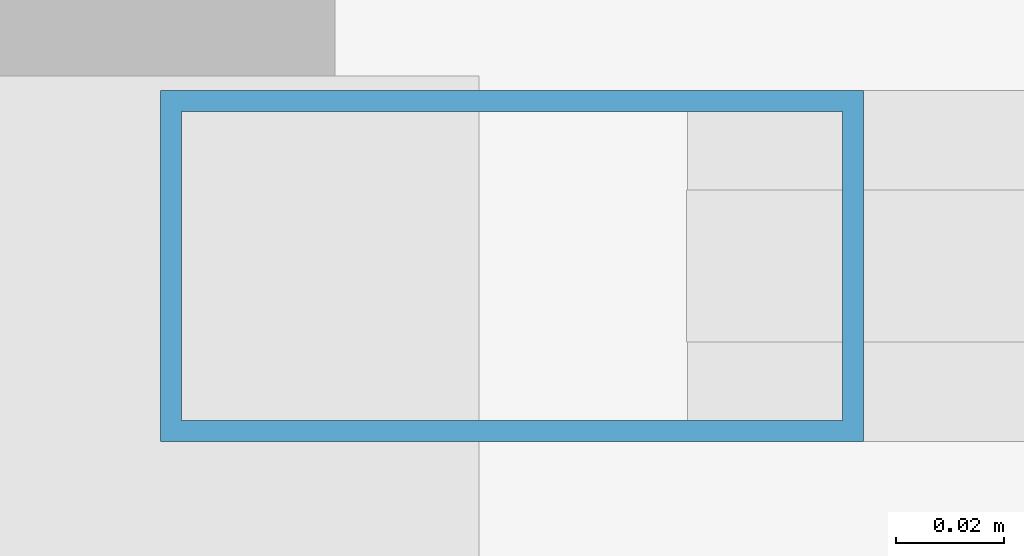
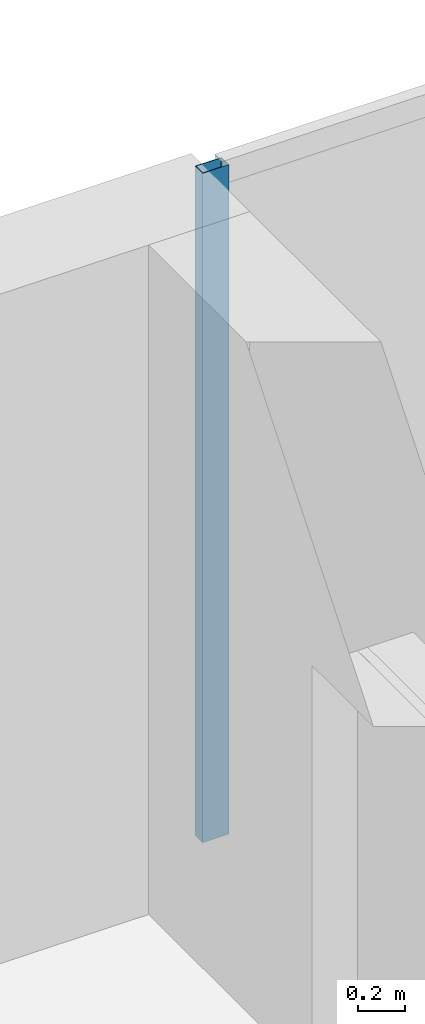
# One storey, part 8 of 15: 1 member, 1 element without a shape of its own.
"""IFC4 building model written with IfcOpenShell, lengths in metres."""

from ifc_helpers import new_model, si_unit, direction, frame, origin, origin_2d, place, context, subcontext, project, spatial, hollow_rectangle, extrude, material, material_profile, profile_set, type_object, element, aggregate, save


model = new_model("IFC4")

# Units and contexts
model_context = context("Model", 3, precision=1e-05, world=origin(), true_north=direction((0.0, 1.0)))
body_context = subcontext(model_context, "Body", "Model", "MODEL_VIEW")
ifc_project = project(units=[si_unit("LENGTHUNIT", "METRE"), si_unit("AREAUNIT", "SQUARE_METRE"), si_unit("VOLUMEUNIT", "CUBIC_METRE"), si_unit("PLANEANGLEUNIT", "RADIAN"), si_unit("MASSUNIT", "GRAM", prefix="KILO")], contexts=[model_context])

# Site, building, storey
site_placement = place(None, origin())
site = spatial("IfcSite", under=ifc_project, at=site_placement, CompositionType="ELEMENT")
building_placement = place(site_placement, origin())
building = spatial("IfcBuilding", under=site, at=building_placement, Name="Cobrela Telecom Tower", CompositionType="ELEMENT")
storey_placement = place(building_placement, frame((0.0, 0.0, 301.35009765625)))
storey = spatial("IfcBuildingStorey", under=building, at=storey_placement, Name="L79", CompositionType="ELEMENT", Elevation=301.35009765625)

# Curtain wall, member
ifc_material = material(Name="Anodized Bronze Aluminium 6063-T6", Category="aluminium")
curtain_wall_type = type_object("IfcCurtainWallType", Name="CW-SYS-DRUM", PredefinedType="USERDEFINED", material=ifc_material)
curtain_wall_placement = place(storey_placement, origin())
curtain_wall = element("IfcCurtainWall", 1, at=curtain_wall_placement, inside=storey, type_object=curtain_wall_type, Name="L79 Unitised Bronze Curtain Wall 01", ObjectType="UNITISED CURTAIN WALL", PredefinedType="USERDEFINED")
ifc_material_profile = material_profile(ifc_material, hollow_rectangle(XDim=0.06494140625, YDim=0.1298828125, WallThickness=0.00390625, at=origin_2d()), Name="ALU 65x130x4")
ifc_profile_set = profile_set([ifc_material_profile], Name="Anodized Bronze Aluminium 6063-T6")
member_type = type_object("IfcMemberType", Name="CW-SYS-DRUM-MUL", PredefinedType="MULLION", material=ifc_profile_set)
member_placement = place(storey_placement, frame((14.4326171875, 35.8798828125, 0.0), z_axis=(0.0, 0.0, 1.0), x_axis=(0.0, 1.0, 0.0)))
member = element("IfcMember", 2, at=member_placement, type_object=member_type, Name="CW-DRUM mullion 1", PredefinedType="MULLION", context=body_context, shape_type="SweptSolid", body=[
    extrude(hollow_rectangle(XDim=0.06494140625, YDim=0.1298828125, WallThickness=0.00390625, at=origin_2d()), origin(), (0.0, 0.0, 1.0), 3.5),
])
aggregate(curtain_wall, [member])

save(model, "model.ifc")
